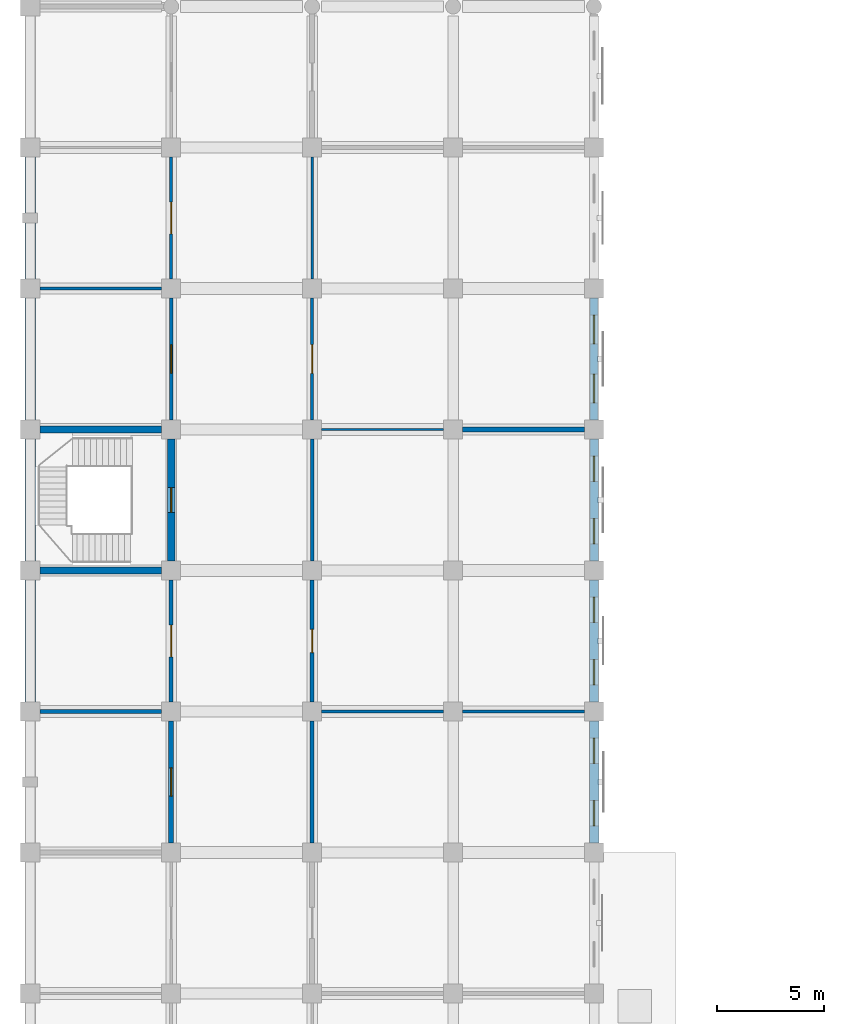
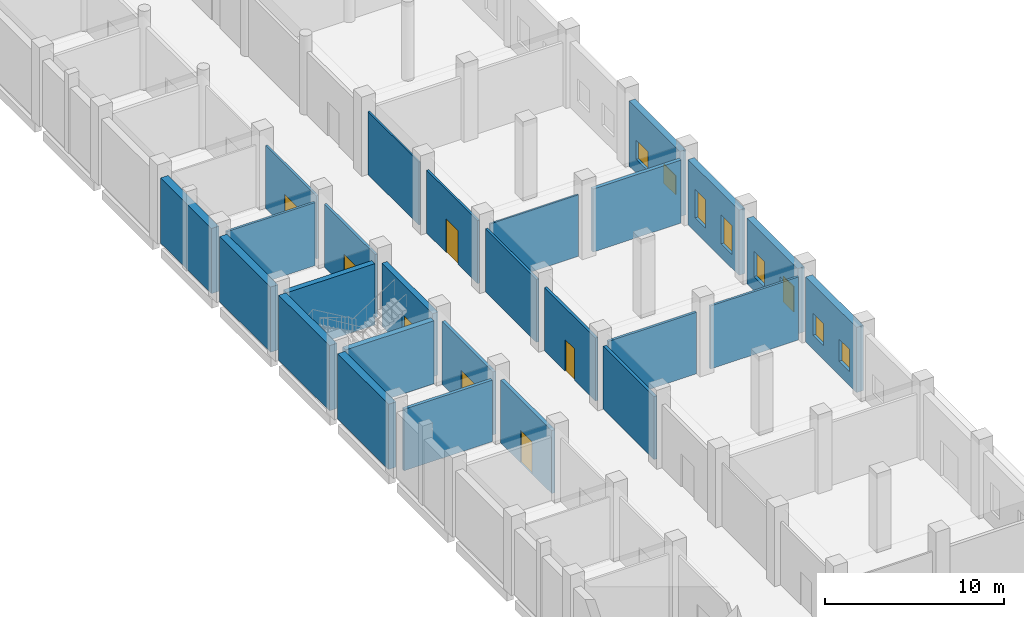
# One storey, part 16 of 28: 26 walls, 8 windows, 7 doors, 15 openings.
"""IFC4 building model written with IfcOpenShell, lengths in metres."""

from ifc_helpers import new_model, si_unit, direction, frame, frame_2d, origin, place, context, subcontext, project, spatial, rectangle, extrude, material, layer, layer_set, type_object, element, fill, save


model = new_model("IFC4")

# Units and contexts
model_context = context("Model", 3, precision=1e-05, world=origin(), true_north=direction((0.0, 1.0)))
body_context = subcontext(model_context, "Body", "Model", "MODEL_VIEW")
ifc_project = project(units=[si_unit("LENGTHUNIT", "METRE"), si_unit("AREAUNIT", "SQUARE_METRE"), si_unit("VOLUMEUNIT", "CUBIC_METRE"), si_unit("PLANEANGLEUNIT", "RADIAN"), si_unit("MASSUNIT", "GRAM", prefix="KILO")], contexts=[model_context])

# Site, building, storey
site_placement = place(None, origin())
site = spatial("IfcSite", under=ifc_project, at=site_placement, CompositionType="ELEMENT")
building_placement = place(site_placement, origin())
building = spatial("IfcBuilding", under=site, at=building_placement, Name="Rusizi Kubbe Research Institute", CompositionType="ELEMENT")
storey_placement = place(building_placement, origin())
storey = spatial("IfcBuildingStorey", under=building, at=storey_placement, Name="L00", CompositionType="ELEMENT", Elevation=0.0)

# Walls
ifc_material_1 = material(Name="Concrete C45/55", Category="concrete")
ifc_layer_1 = layer(ifc_material_1, 0.35009765625)
ifc_layer_set_1 = layer_set([ifc_layer_1], Name="Concrete C45/55")
wall_type_1 = type_object("IfcWallType", Name="CRW-01", PredefinedType="SHEAR", material=ifc_layer_set_1)
wall_1_placement = place(storey_placement, frame((0.449951171875, 125.39990234375, 0.0), z_axis=(0.0, 0.0, 1.0), x_axis=(1.0, 0.0, 0.0)))
element("IfcWall", 1, at=wall_1_placement, inside=storey, type_object=wall_type_1, Name="Stair Core Shear Wall ST6 L00 S", PredefinedType="SHEAR", context=body_context, shape_type="SweptSolid", body=[
    extrude(rectangle(XDim=5.699951171875, YDim=0.35009765625, at=frame_2d((2.85009765625, 0.0))), origin(), (0.0, 0.0, 1.0), 4.300048828125),
])
wall_2_placement = place(storey_placement, frame((0.449951171875, 132.0, 0.0), z_axis=(0.0, 0.0, 1.0), x_axis=(1.0, 0.0, 0.0)))
element("IfcWall", 2, at=wall_2_placement, inside=storey, type_object=wall_type_1, Name="Stair Core Shear Wall ST6 L00 N", PredefinedType="SHEAR", context=body_context, shape_type="SweptSolid", body=[
    extrude(rectangle(XDim=5.699951171875, YDim=0.35009765625, at=frame_2d((2.85009765625, 0.0))), origin(), (0.0, 0.0, 1.0), 4.199951171875),
])

# Wall, opening, door
wall_3_placement = place(storey_placement, frame((6.60009765625, 125.85009765625, 0.0), z_axis=(0.0, 0.0, 1.0), x_axis=(0.0, 1.0, 0.0)))
wall_3 = element("IfcWall", 3, at=wall_3_placement, inside=storey, type_object=wall_type_1, Name="Stair Core Shear Wall ST6 L00 E", PredefinedType="SHEAR", context=body_context, shape_type="SweptSolid", body=[
    extrude(rectangle(XDim=5.699951171875, YDim=0.35009765625, at=frame_2d((2.85009765625, 0.0))), origin(), (0.0, 0.0, 1.0), 4.300048828125),
])
opening_1_placement = place(wall_3_placement, frame((2.27490234375, 0.0, 0.0)))
opening_1 = element("IfcOpeningElement", 4, at=opening_1_placement, cuts=wall_3, Name="Opening D-02", PredefinedType="OPENING", context=body_context, shape_type="SweptSolid", body=[
    extrude(rectangle(XDim=1.14990234375, YDim=2.199951171875, at=frame_2d((0.574951171875, 1.10009765625))), frame((0.0, 0.18505859375, 0.0), z_axis=(0.0, -1.0, 0.0), x_axis=(1.0, 0.0, 0.0)), (0.0, 0.0, 1.0), 0.3701171875),
])
ifc_material_2 = material(Name="Fire-Rated Steel Frame and Acoustic Timber Leaf", Category="wood")
door_type_1 = type_object("IfcDoorType", Name="ID-STAIR-115", OperationType="NOTDEFINED", PredefinedType="DOOR", material=ifc_material_2)
door_1_placement = place(opening_1_placement, origin())
door_1 = element("IfcDoor", 5, at=door_1_placement, inside=storey, type_object=door_type_1, Name="Exit Stair Door ST6 L00", OperationType="SINGLE_SWING_RIGHT", OverallHeight=2.199951171875, OverallWidth=1.14990234375, PredefinedType="DOOR", context=body_context, shape_type="SweptSolid", body=[
    extrude(rectangle(XDim=1.14990234375, YDim=2.199951171875, at=frame_2d((0.574951171875, 1.10009765625))), frame((0.0, 0.02490234375, 0.0), z_axis=(0.0, -1.0, 0.0), x_axis=(1.0, 0.0, 0.0)), (0.0, 0.0, 1.0), 0.050048828125),
])
fill(opening_1, door_1)

# Wall, openings, windows
ifc_material_3 = material(Name="Volcanic Basalt Ashlar Masonry", Category="masonry")
ifc_layer_2 = layer(ifc_material_3, 0.43994140625)
ifc_layer_set_2 = layer_set([ifc_layer_2], Name="Volcanic Basalt Ashlar Masonry")
wall_type_2 = type_object("IfcWallType", Name="EW-01", PredefinedType="SOLIDWALL", material=ifc_layer_set_2)
wall_4_placement = place(storey_placement, frame((26.39990234375, 112.64990234375, 0.0), z_axis=(0.0, 0.0, 1.0), x_axis=(0.0, 1.0, 0.0)))
wall_4 = element("IfcWall", 6, at=wall_4_placement, inside=storey, type_object=wall_type_2, Name="Ablaq Stone Exterior Wall L00 V4-17", PredefinedType="SOLIDWALL", context=body_context, shape_type="SweptSolid", body=[
    extrude(rectangle(XDim=5.7001953125, YDim=0.43994140625, at=frame_2d((2.85009765625, 0.0))), origin(), (0.0, 0.0, 1.0), 4.449951171875),
])
opening_2_placement = place(wall_4_placement, frame((0.800048828125, 0.0, 0.949951171875)))
opening_2 = element("IfcOpeningElement", 7, at=opening_2_placement, cuts=wall_4, Name="Opening WN-10", PredefinedType="OPENING", context=body_context, shape_type="SweptSolid", body=[
    extrude(rectangle(XDim=1.179931640625, YDim=1.52001953125, at=frame_2d((0.58984375, 0.760009765625))), frame((0.0, 0.22998046875, 0.0), z_axis=(0.0, -1.0, 0.0), x_axis=(1.0, 0.0, 0.0)), (0.0, 0.0, 1.0), 0.4599609375),
])
opening_3_placement = place(wall_4_placement, frame((3.719970703125, 0.0, 0.949951171875)))
opening_3 = element("IfcOpeningElement", 8, at=opening_3_placement, cuts=wall_4, Name="Opening WN-10", PredefinedType="OPENING", context=body_context, shape_type="SweptSolid", body=[
    extrude(rectangle(XDim=1.179931640625, YDim=1.52001953125, at=frame_2d((0.58984375, 0.760009765625))), frame((0.0, 0.22998046875, 0.0), z_axis=(0.0, -1.0, 0.0), x_axis=(1.0, 0.0, 0.0)), (0.0, 0.0, 1.0), 0.4599609375),
])
ifc_material_4 = material(Name="Aluminium Frame and Solar-Control Double Glazing", Category="glass")
window_type_1 = type_object("IfcWindowType", Name="WN-10", PartitioningType="SINGLE_PANEL", PredefinedType="WINDOW", material=ifc_material_4)
window_1_placement = place(opening_2_placement, origin())
window_1 = element("IfcWindow", 9, at=window_1_placement, inside=storey, type_object=window_type_1, Name="Casement Window WN-10 L00", OverallHeight=1.52001953125, OverallWidth=1.179931640625, PartitioningType="SINGLE_PANEL", PredefinedType="WINDOW", context=body_context, shape_type="SweptSolid", body=[
    extrude(rectangle(XDim=1.179931640625, YDim=1.52001953125, at=frame_2d((0.58984375, 0.760009765625))), frame((0.0, 0.030029296875, 0.0), z_axis=(0.0, -1.0, 0.0), x_axis=(1.0, 0.0, 0.0)), (0.0, 0.0, 1.0), 0.06005859375),
])
fill(opening_2, window_1)
window_2_placement = place(opening_3_placement, origin())
window_2 = element("IfcWindow", 10, at=window_2_placement, inside=storey, type_object=window_type_1, Name="Casement Window WN-10 L00", OverallHeight=1.52001953125, OverallWidth=1.179931640625, PartitioningType="SINGLE_PANEL", PredefinedType="WINDOW", context=body_context, shape_type="SweptSolid", body=[
    extrude(rectangle(XDim=1.179931640625, YDim=1.52001953125, at=frame_2d((0.58984375, 0.760009765625))), frame((0.0, 0.030029296875, 0.0), z_axis=(0.0, -1.0, 0.0), x_axis=(1.0, 0.0, 0.0)), (0.0, 0.0, 1.0), 0.06005859375),
])
fill(opening_3, window_2)

ifc_material_5 = material(Name="Volcanic Basalt Ashlar Masonry", Category="masonry")
ifc_layer_3 = layer(ifc_material_5, 0.419921875)
ifc_layer_set_3 = layer_set([ifc_layer_3], Name="Volcanic Basalt Ashlar Masonry")
wall_type_3 = type_object("IfcWallType", Name="EW-02", PredefinedType="SOLIDWALL", material=ifc_layer_set_3)
wall_5_placement = place(storey_placement, frame((26.39990234375, 119.25, 0.0), z_axis=(0.0, 0.0, 1.0), x_axis=(0.0, 1.0, 0.0)))
wall_5 = element("IfcWall", 11, at=wall_5_placement, inside=storey, type_object=wall_type_3, Name="Ablaq Stone Exterior Wall L00 V4-18", PredefinedType="SOLIDWALL", context=body_context, shape_type="SweptSolid", body=[
    extrude(rectangle(XDim=5.699951171875, YDim=0.419921875, at=frame_2d((2.85009765625, 0.0))), origin(), (0.0, 0.0, 1.0), 4.449951171875),
])
opening_4_placement = place(wall_5_placement, frame((0.800048828125, 0.0, 0.949951171875)))
opening_4 = element("IfcOpeningElement", 12, at=opening_4_placement, cuts=wall_5, Name="Opening WN-11", PredefinedType="OPENING", context=body_context, shape_type="SweptSolid", body=[
    extrude(rectangle(XDim=1.179931640625, YDim=1.739990234375, at=frame_2d((0.58984375, 0.8701171875))), frame((0.0, 0.219970703125, 0.0), z_axis=(0.0, -1.0, 0.0), x_axis=(1.0, 0.0, 0.0)), (0.0, 0.0, 1.0), 0.43994140625),
])
opening_5_placement = place(wall_5_placement, frame((3.719970703125, 0.0, 0.949951171875)))
opening_5 = element("IfcOpeningElement", 13, at=opening_5_placement, cuts=wall_5, Name="Opening WN-11", PredefinedType="OPENING", context=body_context, shape_type="SweptSolid", body=[
    extrude(rectangle(XDim=1.179931640625, YDim=1.739990234375, at=frame_2d((0.58984375, 0.8701171875))), frame((0.0, 0.219970703125, 0.0), z_axis=(0.0, -1.0, 0.0), x_axis=(1.0, 0.0, 0.0)), (0.0, 0.0, 1.0), 0.43994140625),
])
ifc_material_6 = material(Name="Aluminium Frame and Solar-Control Double Glazing", Category="glass")
window_type_2 = type_object("IfcWindowType", Name="WN-11", PartitioningType="SINGLE_PANEL", PredefinedType="WINDOW", material=ifc_material_6)
window_3_placement = place(opening_4_placement, origin())
window_3 = element("IfcWindow", 14, at=window_3_placement, inside=storey, type_object=window_type_2, Name="Casement Window WN-11 L00", OverallHeight=1.739990234375, OverallWidth=1.179931640625, PartitioningType="SINGLE_PANEL", PredefinedType="WINDOW", context=body_context, shape_type="SweptSolid", body=[
    extrude(rectangle(XDim=1.179931640625, YDim=1.739990234375, at=frame_2d((0.58984375, 0.8701171875))), frame((0.0, 0.030029296875, 0.0), z_axis=(0.0, -1.0, 0.0), x_axis=(1.0, 0.0, 0.0)), (0.0, 0.0, 1.0), 0.06005859375),
])
fill(opening_4, window_3)
window_4_placement = place(opening_5_placement, origin())
window_4 = element("IfcWindow", 15, at=window_4_placement, inside=storey, type_object=window_type_2, Name="Casement Window WN-11 L00", OverallHeight=1.739990234375, OverallWidth=1.179931640625, PartitioningType="SINGLE_PANEL", PredefinedType="WINDOW", context=body_context, shape_type="SweptSolid", body=[
    extrude(rectangle(XDim=1.179931640625, YDim=1.739990234375, at=frame_2d((0.58984375, 0.8701171875))), frame((0.0, 0.030029296875, 0.0), z_axis=(0.0, -1.0, 0.0), x_axis=(1.0, 0.0, 0.0)), (0.0, 0.0, 1.0), 0.06005859375),
])
fill(opening_5, window_4)

ifc_material_7 = material(Name="Volcanic Basalt Ashlar Masonry", Category="masonry")
ifc_layer_4 = layer(ifc_material_7, 0.39990234375)
ifc_layer_set_4 = layer_set([ifc_layer_4], Name="Volcanic Basalt Ashlar Masonry")
wall_type_4 = type_object("IfcWallType", Name="EW-03", PredefinedType="SOLIDWALL", material=ifc_layer_set_4)
wall_6_placement = place(storey_placement, frame((26.39990234375, 125.85009765625, 0.0), z_axis=(0.0, 0.0, 1.0), x_axis=(0.0, 1.0, 0.0)))
wall_6 = element("IfcWall", 16, at=wall_6_placement, inside=storey, type_object=wall_type_4, Name="Ablaq Stone Exterior Wall L00 V4-19", PredefinedType="SOLIDWALL", context=body_context, shape_type="SweptSolid", body=[
    extrude(rectangle(XDim=5.699951171875, YDim=0.39990234375, at=frame_2d((2.85009765625, 0.0))), origin(), (0.0, 0.0, 1.0), 4.449951171875),
])
opening_6_placement = place(wall_6_placement, frame((0.800048828125, 0.0, 0.949951171875)))
opening_6 = element("IfcOpeningElement", 17, at=opening_6_placement, cuts=wall_6, Name="Opening WN-12", PredefinedType="OPENING", context=body_context, shape_type="SweptSolid", body=[
    extrude(rectangle(XDim=1.179931640625, YDim=1.9599609375, at=frame_2d((0.58984375, 0.97998046875))), frame((0.0, 0.2099609375, 0.0), z_axis=(0.0, -1.0, 0.0), x_axis=(1.0, 0.0, 0.0)), (0.0, 0.0, 1.0), 0.419921875),
])
opening_7_placement = place(wall_6_placement, frame((3.719970703125, 0.0, 0.949951171875)))
opening_7 = element("IfcOpeningElement", 18, at=opening_7_placement, cuts=wall_6, Name="Opening WN-12", PredefinedType="OPENING", context=body_context, shape_type="SweptSolid", body=[
    extrude(rectangle(XDim=1.179931640625, YDim=1.9599609375, at=frame_2d((0.58984375, 0.97998046875))), frame((0.0, 0.2099609375, 0.0), z_axis=(0.0, -1.0, 0.0), x_axis=(1.0, 0.0, 0.0)), (0.0, 0.0, 1.0), 0.419921875),
])
ifc_material_8 = material(Name="Aluminium Frame and Solar-Control Double Glazing", Category="glass")
window_type_3 = type_object("IfcWindowType", Name="WN-12", PartitioningType="SINGLE_PANEL", PredefinedType="WINDOW", material=ifc_material_8)
window_5_placement = place(opening_6_placement, origin())
window_5 = element("IfcWindow", 19, at=window_5_placement, inside=storey, type_object=window_type_3, Name="Casement Window WN-12 L00", OverallHeight=1.9599609375, OverallWidth=1.179931640625, PartitioningType="SINGLE_PANEL", PredefinedType="WINDOW", context=body_context, shape_type="SweptSolid", body=[
    extrude(rectangle(XDim=1.179931640625, YDim=1.9599609375, at=frame_2d((0.58984375, 0.97998046875))), frame((0.0, 0.030029296875, 0.0), z_axis=(0.0, -1.0, 0.0), x_axis=(1.0, 0.0, 0.0)), (0.0, 0.0, 1.0), 0.06005859375),
])
fill(opening_6, window_5)
window_6_placement = place(opening_7_placement, origin())
window_6 = element("IfcWindow", 20, at=window_6_placement, inside=storey, type_object=window_type_3, Name="Casement Window WN-12 L00", OverallHeight=1.9599609375, OverallWidth=1.179931640625, PartitioningType="SINGLE_PANEL", PredefinedType="WINDOW", context=body_context, shape_type="SweptSolid", body=[
    extrude(rectangle(XDim=1.179931640625, YDim=1.9599609375, at=frame_2d((0.58984375, 0.97998046875))), frame((0.0, 0.030029296875, 0.0), z_axis=(0.0, -1.0, 0.0), x_axis=(1.0, 0.0, 0.0)), (0.0, 0.0, 1.0), 0.06005859375),
])
fill(opening_7, window_6)

ifc_material_9 = material(Name="Volcanic Basalt Ashlar Masonry", Category="masonry")
ifc_layer_5 = layer(ifc_material_9, 0.385009765625)
ifc_layer_set_5 = layer_set([ifc_layer_5], Name="Volcanic Basalt Ashlar Masonry")
wall_type_5 = type_object("IfcWallType", Name="EW-04", PredefinedType="SOLIDWALL", material=ifc_layer_set_5)
wall_7_placement = place(storey_placement, frame((26.39990234375, 132.449951171875, 0.0), z_axis=(0.0, 0.0, 1.0), x_axis=(0.0, 1.0, 0.0)))
wall_7 = element("IfcWall", 21, at=wall_7_placement, inside=storey, type_object=wall_type_5, Name="Ablaq Stone Exterior Wall L00 V4-20", PredefinedType="SOLIDWALL", context=body_context, shape_type="SweptSolid", body=[
    extrude(rectangle(XDim=5.699951171875, YDim=0.385009765625, at=frame_2d((2.85009765625, 0.0))), origin(), (0.0, 0.0, 1.0), 4.449951171875),
])
opening_8_placement = place(wall_7_placement, frame((0.800048828125, 0.0, 0.949951171875)))
opening_8 = element("IfcOpeningElement", 22, at=opening_8_placement, cuts=wall_7, Name="Opening WN-13", PredefinedType="OPENING", context=body_context, shape_type="SweptSolid", body=[
    extrude(rectangle(XDim=1.340087890625, YDim=1.300048828125, at=frame_2d((0.669921875, 0.64990234375))), frame((0.0, 0.202392578125, 0.0), z_axis=(0.0, -1.0, 0.0), x_axis=(1.0, 0.0, 0.0)), (0.0, 0.0, 1.0), 0.405029296875),
])
opening_9_placement = place(wall_7_placement, frame((3.56005859375, 0.0, 0.949951171875)))
opening_9 = element("IfcOpeningElement", 23, at=opening_9_placement, cuts=wall_7, Name="Opening WN-13", PredefinedType="OPENING", context=body_context, shape_type="SweptSolid", body=[
    extrude(rectangle(XDim=1.340087890625, YDim=1.300048828125, at=frame_2d((0.669921875, 0.64990234375))), frame((0.0, 0.202392578125, 0.0), z_axis=(0.0, -1.0, 0.0), x_axis=(1.0, 0.0, 0.0)), (0.0, 0.0, 1.0), 0.405029296875),
])
ifc_material_10 = material(Name="Aluminium Frame and Solar-Control Double Glazing", Category="glass")
window_type_4 = type_object("IfcWindowType", Name="WN-13", PartitioningType="SINGLE_PANEL", PredefinedType="WINDOW", material=ifc_material_10)
window_7_placement = place(opening_8_placement, origin())
window_7 = element("IfcWindow", 24, at=window_7_placement, inside=storey, type_object=window_type_4, Name="Casement Window WN-13 L00", OverallHeight=1.300048828125, OverallWidth=1.340087890625, PartitioningType="SINGLE_PANEL", PredefinedType="WINDOW", context=body_context, shape_type="SweptSolid", body=[
    extrude(rectangle(XDim=1.340087890625, YDim=1.300048828125, at=frame_2d((0.669921875, 0.64990234375))), frame((0.0, 0.030029296875, 0.0), z_axis=(0.0, -1.0, 0.0), x_axis=(1.0, 0.0, 0.0)), (0.0, 0.0, 1.0), 0.06005859375),
])
fill(opening_8, window_7)
window_8_placement = place(opening_9_placement, origin())
window_8 = element("IfcWindow", 25, at=window_8_placement, inside=storey, type_object=window_type_4, Name="Casement Window WN-13 L00", OverallHeight=1.300048828125, OverallWidth=1.340087890625, PartitioningType="SINGLE_PANEL", PredefinedType="WINDOW", context=body_context, shape_type="SweptSolid", body=[
    extrude(rectangle(XDim=1.340087890625, YDim=1.300048828125, at=frame_2d((0.669921875, 0.64990234375))), frame((0.0, 0.030029296875, 0.0), z_axis=(0.0, -1.0, 0.0), x_axis=(1.0, 0.0, 0.0)), (0.0, 0.0, 1.0), 0.06005859375),
])
fill(opening_9, window_8)

# Wall, opening, door
ifc_material_11 = material(Name="Concrete Blockwork Fire Partition", Category="masonry")
ifc_layer_6 = layer(ifc_material_11, 0.22509765625)
ifc_layer_set_6 = layer_set([ifc_layer_6], Name="Concrete Blockwork Fire Partition")
wall_type_6 = type_object("IfcWallType", Name="IW-01", PredefinedType="PARTITIONING", material=ifc_layer_set_6)
wall_8_placement = place(storey_placement, frame((6.60009765625, 112.64990234375, 0.0), z_axis=(0.0, 0.0, 1.0), x_axis=(0.0, 1.0, 0.0)))
wall_8 = element("IfcWall", 26, at=wall_8_placement, inside=storey, type_object=wall_type_6, Name="Interior Partition Wall L00 V1-17", PredefinedType="PARTITIONING", context=body_context, shape_type="SweptSolid", body=[
    extrude(rectangle(XDim=5.7001953125, YDim=0.22509765625, at=frame_2d((2.85009765625, 0.0))), origin(), (0.0, 0.0, 1.0), 4.300048828125),
])
opening_10_placement = place(wall_8_placement, frame((2.18994140625, 0.0, 0.0)))
opening_10 = element("IfcOpeningElement", 27, at=opening_10_placement, cuts=wall_8, Name="Opening LD-07", PredefinedType="OPENING", context=body_context, shape_type="SweptSolid", body=[
    extrude(rectangle(XDim=1.320068359375, YDim=2.199951171875, at=frame_2d((0.66015625, 1.10009765625))), frame((0.0, 0.12255859375, 0.0), z_axis=(0.0, -1.0, 0.0), x_axis=(1.0, 0.0, 0.0)), (0.0, 0.0, 1.0), 0.2451171875),
])
ifc_material_12 = material(Name="Brushed Stainless Steel Sliding Door", Category="steel")
door_type_2 = type_object("IfcDoorType", Name="LD-07", OperationType="DOUBLE_DOOR_SLIDING", PredefinedType="USERDEFINED", material=ifc_material_12)
door_2_placement = place(opening_10_placement, origin())
door_2 = element("IfcDoor", 28, at=door_2_placement, inside=storey, type_object=door_type_2, Name="Door to Clean Room Gowning Airlock (L00-ALK-17)", ObjectType="SLIDING DOOR", OperationType="DOUBLE_DOOR_SLIDING", OverallHeight=2.199951171875, OverallWidth=1.320068359375, PredefinedType="USERDEFINED", context=body_context, shape_type="SweptSolid", body=[
    extrude(rectangle(XDim=1.320068359375, YDim=2.199951171875, at=frame_2d((0.66015625, 1.10009765625))), frame((0.0, 0.02490234375, 0.0), z_axis=(0.0, -1.0, 0.0), x_axis=(1.0, 0.0, 0.0)), (0.0, 0.0, 1.0), 0.050048828125),
])
fill(opening_10, door_2)

# Walls
wall_9_placement = place(storey_placement, frame((20.25, 132.0, 0.0), z_axis=(0.0, 0.0, 1.0), x_axis=(1.0, 0.0, 0.0)))
element("IfcWall", 29, at=wall_9_placement, inside=storey, type_object=wall_type_6, Name="Interior Partition Wall L00 H3-20", PredefinedType="PARTITIONING", context=body_context, shape_type="SweptSolid", body=[
    extrude(rectangle(XDim=5.699951171875, YDim=0.22509765625, at=frame_2d((2.85009765625, 0.0))), origin(), (0.0, 0.0, 1.0), 4.300048828125),
])
ifc_material_13 = material(Name="Insulated Cleanroom Partition", Category="masonry")
ifc_layer_7 = layer(ifc_material_13, 0.195068359375)
ifc_layer_set_7 = layer_set([ifc_layer_7], Name="Insulated Cleanroom Partition")
wall_type_7 = type_object("IfcWallType", Name="IW-02", PredefinedType="PARTITIONING", material=ifc_layer_set_7)
wall_10_placement = place(storey_placement, frame((0.449951171875, 118.800048828125, 0.0), z_axis=(0.0, 0.0, 1.0), x_axis=(1.0, 0.0, 0.0)))
element("IfcWall", 30, at=wall_10_placement, inside=storey, type_object=wall_type_7, Name="Interior Partition Wall L00 H0-18", PredefinedType="PARTITIONING", context=body_context, shape_type="SweptSolid", body=[
    extrude(rectangle(XDim=5.699951171875, YDim=0.195068359375, at=frame_2d((2.85009765625, 0.0))), origin(), (0.0, 0.0, 1.0), 4.199951171875),
])

# Wall, opening, door
wall_11_placement = place(storey_placement, frame((6.60009765625, 119.25, 0.0), z_axis=(0.0, 0.0, 1.0), x_axis=(0.0, 1.0, 0.0)))
wall_11 = element("IfcWall", 31, at=wall_11_placement, inside=storey, type_object=wall_type_7, Name="Interior Partition Wall L00 V1-18", PredefinedType="PARTITIONING", context=body_context, shape_type="SweptSolid", body=[
    extrude(rectangle(XDim=5.699951171875, YDim=0.195068359375, at=frame_2d((2.85009765625, 0.0))), origin(), (0.0, 0.0, 1.0), 4.300048828125),
])
opening_11_placement = place(wall_11_placement, frame((2.110107421875, 0.0, 0.0)))
opening_11 = element("IfcOpeningElement", 32, at=opening_11_placement, cuts=wall_11, Name="Opening LD-08", PredefinedType="OPENING", context=body_context, shape_type="SweptSolid", body=[
    extrude(rectangle(XDim=1.47998046875, YDim=2.25, at=frame_2d((0.739990234375, 1.125))), frame((0.0, 0.107421875, 0.0), z_axis=(0.0, -1.0, 0.0), x_axis=(1.0, 0.0, 0.0)), (0.0, 0.0, 1.0), 0.215087890625),
])
ifc_material_14 = material(Name="Brushed Stainless Steel Sliding Door", Category="steel")
door_type_3 = type_object("IfcDoorType", Name="LD-08", OperationType="DOUBLE_DOOR_SLIDING", PredefinedType="USERDEFINED", material=ifc_material_14)
door_3_placement = place(opening_11_placement, origin())
door_3 = element("IfcDoor", 33, at=door_3_placement, inside=storey, type_object=door_type_3, Name="Door to ISO-6 Clean Room Suite (L00-CR-18)", ObjectType="SLIDING DOOR", OperationType="DOUBLE_DOOR_SLIDING", OverallHeight=2.25, OverallWidth=1.47998046875, PredefinedType="USERDEFINED", context=body_context, shape_type="SweptSolid", body=[
    extrude(rectangle(XDim=1.47998046875, YDim=2.25, at=frame_2d((0.739990234375, 1.125))), frame((0.0, 0.02490234375, 0.0), z_axis=(0.0, -1.0, 0.0), x_axis=(1.0, 0.0, 0.0)), (0.0, 0.0, 1.0), 0.050048828125),
])
fill(opening_11, door_3)

# Wall
wall_12_placement = place(storey_placement, frame((13.199951171875, 112.64990234375, 0.0), z_axis=(0.0, 0.0, 1.0), x_axis=(0.0, 1.0, 0.0)))
element("IfcWall", 34, at=wall_12_placement, inside=storey, type_object=wall_type_7, Name="Interior Partition Wall L00 V2-17", PredefinedType="PARTITIONING", context=body_context, shape_type="SweptSolid", body=[
    extrude(rectangle(XDim=5.7001953125, YDim=0.195068359375, at=frame_2d((2.85009765625, 0.0))), origin(), (0.0, 0.0, 1.0), 4.300048828125),
])

# Wall, opening, door
ifc_material_15 = material(Name="Acoustic Laboratory Partition", Category="masonry")
ifc_layer_8 = layer(ifc_material_15, 0.175048828125)
ifc_layer_set_8 = layer_set([ifc_layer_8], Name="Acoustic Laboratory Partition")
wall_type_8 = type_object("IfcWallType", Name="IW-03", PredefinedType="PARTITIONING", material=ifc_layer_set_8)
wall_13_placement = place(storey_placement, frame((13.199951171875, 119.25, 0.0), z_axis=(0.0, 0.0, 1.0), x_axis=(0.0, 1.0, 0.0)))
wall_13 = element("IfcWall", 35, at=wall_13_placement, inside=storey, type_object=wall_type_8, Name="Interior Partition Wall L00 V2-18", PredefinedType="PARTITIONING", context=body_context, shape_type="SweptSolid", body=[
    extrude(rectangle(XDim=5.699951171875, YDim=0.175048828125, at=frame_2d((2.85009765625, 0.0))), origin(), (0.0, 0.0, 1.0), 4.300048828125),
])
opening_12_placement = place(wall_13_placement, frame((2.31005859375, 0.0, 0.0)))
opening_12 = element("IfcOpeningElement", 36, at=opening_12_placement, cuts=wall_13, Name="Opening D-17", PredefinedType="OPENING", context=body_context, shape_type="SweptSolid", body=[
    extrude(rectangle(XDim=1.080078125, YDim=2.14990234375, at=frame_2d((0.5400390625, 1.074951171875))), frame((0.0, 0.097412109375, 0.0), z_axis=(0.0, -1.0, 0.0), x_axis=(1.0, 0.0, 0.0)), (0.0, 0.0, 1.0), 0.195068359375),
])
ifc_material_16 = material(Name="Fire-Rated Steel Frame and Acoustic Timber Leaf", Category="wood")
door_type_4 = type_object("IfcDoorType", Name="ID-OFF-108", OperationType="NOTDEFINED", PredefinedType="DOOR", material=ifc_material_16)
door_4_placement = place(opening_12_placement, origin())
door_4 = element("IfcDoor", 37, at=door_4_placement, inside=storey, type_object=door_type_4, Name="Door to Write-up Office (L00-NW-08)", OperationType="SINGLE_SWING_RIGHT", OverallHeight=2.14990234375, OverallWidth=1.080078125, PredefinedType="DOOR", context=body_context, shape_type="SweptSolid", body=[
    extrude(rectangle(XDim=1.080078125, YDim=2.14990234375, at=frame_2d((0.5400390625, 1.074951171875))), frame((0.0, 0.02490234375, 0.0), z_axis=(0.0, -1.0, 0.0), x_axis=(1.0, 0.0, 0.0)), (0.0, 0.0, 1.0), 0.050048828125),
])
fill(opening_12, door_4)

ifc_material_17 = material(Name="Fire-Rated Corridor Partition", Category="masonry")
ifc_layer_9 = layer(ifc_material_17, 0.155029296875)
ifc_layer_set_9 = layer_set([ifc_layer_9], Name="Fire-Rated Corridor Partition")
wall_type_9 = type_object("IfcWallType", Name="IW-04", PredefinedType="PARTITIONING", material=ifc_layer_set_9)
wall_14_placement = place(storey_placement, frame((6.60009765625, 132.449951171875, 0.0), z_axis=(0.0, 0.0, 1.0), x_axis=(0.0, 1.0, 0.0)))
wall_14 = element("IfcWall", 38, at=wall_14_placement, inside=storey, type_object=wall_type_9, Name="Interior Partition Wall L00 V1-20", PredefinedType="PARTITIONING", context=body_context, shape_type="SweptSolid", body=[
    extrude(rectangle(XDim=5.699951171875, YDim=0.155029296875, at=frame_2d((2.85009765625, 0.0))), origin(), (0.0, 0.0, 1.0), 4.300048828125),
])
opening_13_placement = place(wall_14_placement, frame((2.18994140625, 0.0, 0.0)))
opening_13 = element("IfcOpeningElement", 39, at=opening_13_placement, cuts=wall_14, Name="Opening LD-07", PredefinedType="OPENING", context=body_context, shape_type="SweptSolid", body=[
    extrude(rectangle(XDim=1.320068359375, YDim=2.199951171875, at=frame_2d((0.66015625, 1.10009765625))), frame((0.0, 0.08740234375, 0.0), z_axis=(0.0, -1.0, 0.0), x_axis=(1.0, 0.0, 0.0)), (0.0, 0.0, 1.0), 0.175048828125),
])
door_5_placement = place(opening_13_placement, origin())
door_5 = element("IfcDoor", 40, at=door_5_placement, inside=storey, type_object=door_type_2, Name="Door to Clean Room Gowning Airlock (L00-ALK-20)", ObjectType="SLIDING DOOR", OperationType="DOUBLE_DOOR_SLIDING", OverallHeight=2.199951171875, OverallWidth=1.320068359375, PredefinedType="USERDEFINED", context=body_context, shape_type="SweptSolid", body=[
    extrude(rectangle(XDim=1.320068359375, YDim=2.199951171875, at=frame_2d((0.66015625, 1.10009765625))), frame((0.0, 0.02490234375, 0.0), z_axis=(0.0, -1.0, 0.0), x_axis=(1.0, 0.0, 0.0)), (0.0, 0.0, 1.0), 0.050048828125),
])
fill(opening_13, door_5)

# Walls
wall_15_placement = place(storey_placement, frame((13.199951171875, 125.85009765625, 0.0), z_axis=(0.0, 0.0, 1.0), x_axis=(0.0, 1.0, 0.0)))
element("IfcWall", 41, at=wall_15_placement, inside=storey, type_object=wall_type_9, Name="Interior Partition Wall L00 V2-19", PredefinedType="PARTITIONING", context=body_context, shape_type="SweptSolid", body=[
    extrude(rectangle(XDim=5.699951171875, YDim=0.155029296875, at=frame_2d((2.85009765625, 0.0))), origin(), (0.0, 0.0, 1.0), 4.300048828125),
])
wall_16_placement = place(storey_placement, frame((13.64990234375, 118.800048828125, 0.0), z_axis=(0.0, 0.0, 1.0), x_axis=(1.0, 0.0, 0.0)))
element("IfcWall", 42, at=wall_16_placement, inside=storey, type_object=wall_type_9, Name="Interior Partition Wall L00 H2-18", PredefinedType="PARTITIONING", context=body_context, shape_type="SweptSolid", body=[
    extrude(rectangle(XDim=5.7001953125, YDim=0.155029296875, at=frame_2d((2.85009765625, 0.0))), origin(), (0.0, 0.0, 1.0), 4.199951171875),
])
ifc_material_18 = material(Name="Write-up Glazed Acoustic Partition", Category="masonry")
ifc_layer_10 = layer(ifc_material_18, 0.139892578125)
ifc_layer_set_10 = layer_set([ifc_layer_10], Name="Write-up Glazed Acoustic Partition")
wall_type_10 = type_object("IfcWallType", Name="IW-05", PredefinedType="PARTITIONING", material=ifc_layer_set_10)
wall_17_placement = place(storey_placement, frame((0.449951171875, 138.60009765625, 0.0), z_axis=(0.0, 0.0, 1.0), x_axis=(1.0, 0.0, 0.0)))
element("IfcWall", 43, at=wall_17_placement, inside=storey, type_object=wall_type_10, Name="Interior Partition Wall L00 H0-21", PredefinedType="PARTITIONING", context=body_context, shape_type="SweptSolid", body=[
    extrude(rectangle(XDim=5.699951171875, YDim=0.139892578125, at=frame_2d((2.85009765625, 0.0))), origin(), (0.0, 0.0, 1.0), 4.300048828125),
])

# Wall, opening, door
wall_18_placement = place(storey_placement, frame((6.60009765625, 139.050048828125, 0.0), z_axis=(0.0, 0.0, 1.0), x_axis=(0.0, 1.0, 0.0)))
wall_18 = element("IfcWall", 44, at=wall_18_placement, inside=storey, type_object=wall_type_10, Name="Interior Partition Wall L00 V1-21", PredefinedType="PARTITIONING", context=body_context, shape_type="SweptSolid", body=[
    extrude(rectangle(XDim=5.699951171875, YDim=0.139892578125, at=frame_2d((2.85009765625, 0.0))), origin(), (0.0, 0.0, 1.0), 4.300048828125),
])
opening_14_placement = place(wall_18_placement, frame((2.110107421875, 0.0, 0.0)))
opening_14 = element("IfcOpeningElement", 45, at=opening_14_placement, cuts=wall_18, Name="Opening LD-08", PredefinedType="OPENING", context=body_context, shape_type="SweptSolid", body=[
    extrude(rectangle(XDim=1.47998046875, YDim=2.25, at=frame_2d((0.739990234375, 1.125))), frame((0.0, 0.079833984375, 0.0), z_axis=(0.0, -1.0, 0.0), x_axis=(1.0, 0.0, 0.0)), (0.0, 0.0, 1.0), 0.159912109375),
])
door_6_placement = place(opening_14_placement, origin())
door_6 = element("IfcDoor", 46, at=door_6_placement, inside=storey, type_object=door_type_3, Name="Door to ISO-6 Clean Room Suite (L00-CR-21)", ObjectType="SLIDING DOOR", OperationType="DOUBLE_DOOR_SLIDING", OverallHeight=2.25, OverallWidth=1.47998046875, PredefinedType="USERDEFINED", context=body_context, shape_type="SweptSolid", body=[
    extrude(rectangle(XDim=1.47998046875, YDim=2.25, at=frame_2d((0.739990234375, 1.125))), frame((0.0, 0.02490234375, 0.0), z_axis=(0.0, -1.0, 0.0), x_axis=(1.0, 0.0, 0.0)), (0.0, 0.0, 1.0), 0.050048828125),
])
fill(opening_14, door_6)

wall_19_placement = place(storey_placement, frame((13.199951171875, 132.449951171875, 0.0), z_axis=(0.0, 0.0, 1.0), x_axis=(0.0, 1.0, 0.0)))
wall_19 = element("IfcWall", 47, at=wall_19_placement, inside=storey, type_object=wall_type_10, Name="Interior Partition Wall L00 V2-20", PredefinedType="PARTITIONING", context=body_context, shape_type="SweptSolid", body=[
    extrude(rectangle(XDim=5.699951171875, YDim=0.139892578125, at=frame_2d((2.85009765625, 0.0))), origin(), (0.0, 0.0, 1.0), 4.300048828125),
])
opening_15_placement = place(wall_19_placement, frame((2.175048828125, 0.0, 0.0)))
opening_15 = element("IfcOpeningElement", 48, at=opening_15_placement, cuts=wall_19, Name="Opening D-13", PredefinedType="OPENING", context=body_context, shape_type="SweptSolid", body=[
    extrude(rectangle(XDim=1.35009765625, YDim=2.300048828125, at=frame_2d((0.675048828125, 1.14990234375))), frame((0.0, 0.079833984375, 0.0), z_axis=(0.0, -1.0, 0.0), x_axis=(1.0, 0.0, 0.0)), (0.0, 0.0, 1.0), 0.159912109375),
])
ifc_material_19 = material(Name="Fire-Rated Steel Frame and Acoustic Timber Leaf", Category="wood")
door_type_5 = type_object("IfcDoorType", Name="ID-LAB-135", OperationType="NOTDEFINED", PredefinedType="DOOR", material=ifc_material_19)
door_7_placement = place(opening_15_placement, origin())
door_7 = element("IfcDoor", 49, at=door_7_placement, inside=storey, type_object=door_type_5, Name="Door to Bioscience Wet Laboratory (L00-NW-09)", OperationType="SINGLE_SWING_LEFT", OverallHeight=2.300048828125, OverallWidth=1.35009765625, PredefinedType="DOOR", context=body_context, shape_type="SweptSolid", body=[
    extrude(rectangle(XDim=1.35009765625, YDim=2.300048828125, at=frame_2d((0.675048828125, 1.14990234375))), frame((0.0, 0.02490234375, 0.0), z_axis=(0.0, -1.0, 0.0), x_axis=(1.0, 0.0, 0.0)), (0.0, 0.0, 1.0), 0.050048828125),
])
fill(opening_15, door_7)

# Walls
wall_20_placement = place(storey_placement, frame((20.25, 118.800048828125, 0.0), z_axis=(0.0, 0.0, 1.0), x_axis=(1.0, 0.0, 0.0)))
element("IfcWall", 50, at=wall_20_placement, inside=storey, type_object=wall_type_10, Name="Interior Partition Wall L00 H3-18", PredefinedType="PARTITIONING", context=body_context, shape_type="SweptSolid", body=[
    extrude(rectangle(XDim=5.699951171875, YDim=0.139892578125, at=frame_2d((2.85009765625, 0.0))), origin(), (0.0, 0.0, 1.0), 4.300048828125),
])
ifc_material_20 = material(Name="Sub-Suite Fire Partition", Category="masonry")
ifc_layer_11 = layer(ifc_material_20, 0.110107421875)
ifc_layer_set_11 = layer_set([ifc_layer_11], Name="Sub-Suite Fire Partition")
wall_type_11 = type_object("IfcWallType", Name="IW-07", PredefinedType="PARTITIONING", material=ifc_layer_set_11)
wall_21_placement = place(storey_placement, frame((13.199951171875, 139.050048828125, 0.0), z_axis=(0.0, 0.0, 1.0), x_axis=(0.0, 1.0, 0.0)))
element("IfcWall", 51, at=wall_21_placement, inside=storey, type_object=wall_type_11, Name="Interior Partition Wall L00 V2-21", PredefinedType="PARTITIONING", context=body_context, shape_type="SweptSolid", body=[
    extrude(rectangle(XDim=5.699951171875, YDim=0.110107421875, at=frame_2d((2.85009765625, 0.0))), origin(), (0.0, 0.0, 1.0), 4.300048828125),
])
wall_22_placement = place(storey_placement, frame((13.64990234375, 132.0, 0.0), z_axis=(0.0, 0.0, 1.0), x_axis=(1.0, 0.0, 0.0)))
element("IfcWall", 52, at=wall_22_placement, inside=storey, type_object=wall_type_11, Name="Interior Partition Wall L00 H2-20", PredefinedType="PARTITIONING", context=body_context, shape_type="SweptSolid", body=[
    extrude(rectangle(XDim=5.7001953125, YDim=0.110107421875, at=frame_2d((2.85009765625, 0.0))), origin(), (0.0, 0.0, 1.0), 4.199951171875),
])
ifc_material_21 = material(Name="Concrete C40/50", Category="concrete")
ifc_layer_12 = layer(ifc_material_21, 0.47998046875)
ifc_layer_set_12 = layer_set([ifc_layer_12], Name="Concrete C40/50")
wall_type_12 = type_object("IfcWallType", Name="PW-01", PredefinedType="SOLIDWALL", material=ifc_layer_set_12)
for number, where, z_axis, x_axis, name in (
    (53, (0.0, 119.25, 0.0), (0.0, 0.0, 1.0), (0.0, 1.0, 0.0), "Blind Party Wall L00 V0-18"),
    (54, (0.0, 125.85009765625, 0.0), (0.0, 0.0, 1.0), (0.0, 1.0, 0.0), "Blind Party Wall L00 V0-19"),
    (55, (0.0, 132.449951171875, 0.0), (0.0, 0.0, 1.0), (0.0, 1.0, 0.0), "Blind Party Wall L00 V0-20"),
    (56, (0.0, 139.050048828125, 0.0), (0.0, 0.0, 1.0), (0.0, 1.0, 0.0), "Blind Party Wall L00 V0-21"),
):
    element("IfcWall", number, at=place(storey_placement, frame(where, z_axis=z_axis, x_axis=x_axis)), inside=storey, type_object=wall_type_12, Name=name, PredefinedType="SOLIDWALL", context=body_context, shape_type="SweptSolid", body=[
        extrude(rectangle(XDim=5.699951171875, YDim=0.47998046875, at=frame_2d((2.85009765625, 0.0))), origin(), (0.0, 0.0, 1.0), 4.449951171875),
    ])

save(model, "model.ifc")
